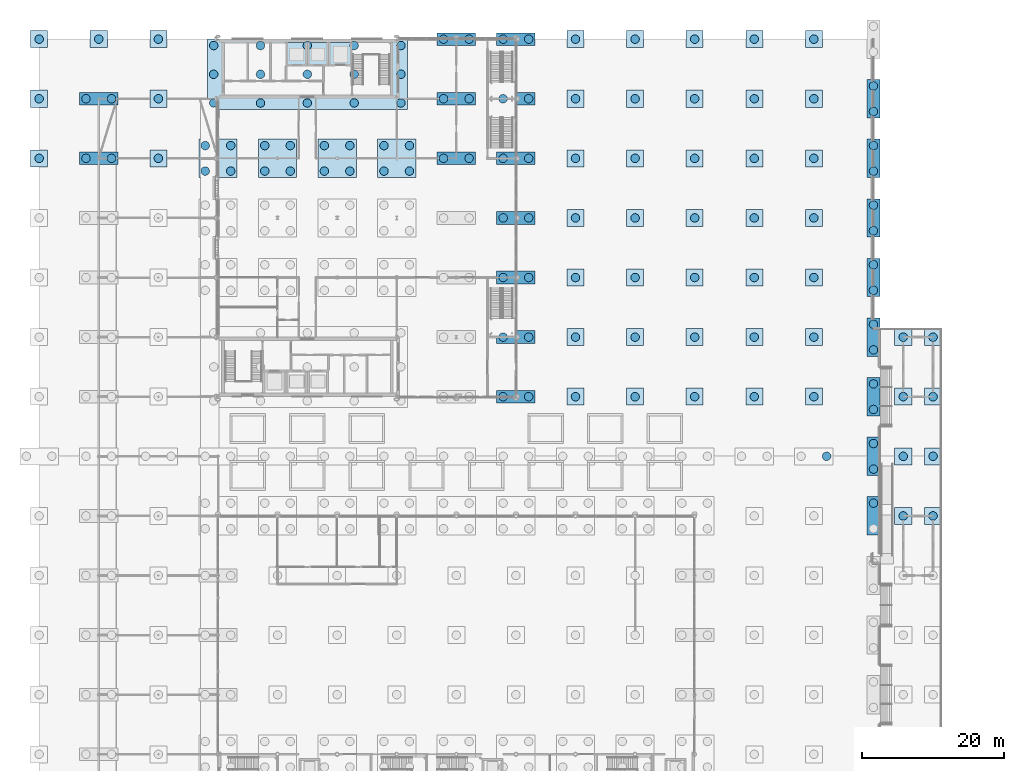
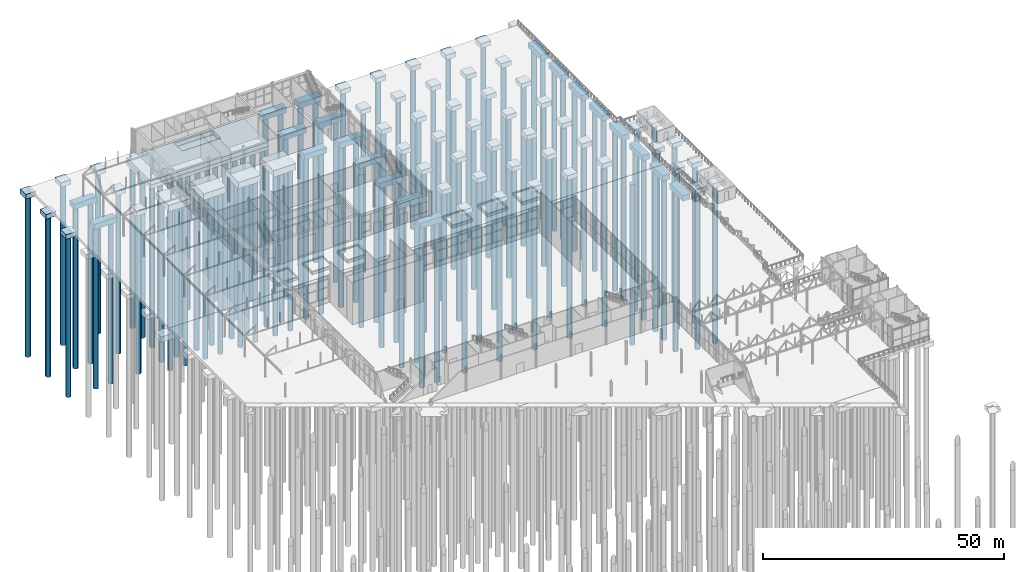
# One storey, part 5 of 212: 121 piles, 76 footings.
"""IFC4 building model written with IfcOpenShell, lengths in metres."""

from ifc_helpers import new_model, si_unit, direction, frame, origin, origin_2d, place, context, subcontext, project, spatial, polyline, rectangle, circle, outline, extrude, material, layer, layer_set, material_profile, profile_set, type_object, element, save


model = new_model("IFC4")

# Units and contexts
model_context = context("Model", 3, precision=1e-05, world=origin(), true_north=direction((0.0, 1.0)))
body_context = subcontext(model_context, "Body", "Model", "MODEL_VIEW")
ifc_project = project(units=[si_unit("LENGTHUNIT", "METRE"), si_unit("AREAUNIT", "SQUARE_METRE"), si_unit("VOLUMEUNIT", "CUBIC_METRE"), si_unit("PLANEANGLEUNIT", "RADIAN"), si_unit("MASSUNIT", "GRAM", prefix="KILO")], contexts=[model_context])

# Site, building, storey
site_placement = place(None, origin())
site = spatial("IfcSite", under=ifc_project, at=site_placement, CompositionType="ELEMENT")
building_placement = place(site_placement, origin())
building = spatial("IfcBuilding", under=site, at=building_placement, Name="Catenary Quay Ferry Terminal", CompositionType="ELEMENT")
storey_placement = place(building_placement, origin())
storey = spatial("IfcBuildingStorey", under=building, at=storey_placement, Name="L00", CompositionType="ELEMENT", Elevation=0.0)

# Piles
ifc_material_1 = material(Name="Concrete C35/45", Category="concrete")
ifc_material_profile = material_profile(ifc_material_1, circle(Radius=0.60009765625, at=origin_2d()), Name="D1200")
ifc_profile_set = profile_set([ifc_material_profile], Name="Concrete C35/45")
pile_type = type_object("IfcPileType", Name="Bored pile D1200", PredefinedType="BORED", material=ifc_profile_set)
for number, where, z_axis, x_axis, name in (
    (1, (117.60009765625, 144.60009765625, -2.10009765625), (0.0, 0.0, -1.0), (1.0, 0.0, 0.0), "Pile PC2-O18/2"),
    (2, (111.0, 151.199951171875, -2.10009765625), (0.0, 0.0, -1.0), (1.0, 0.0, 0.0), "Pile PC2J-N19/2"),
    (3, (117.60009765625, 149.39990234375, -2.10009765625), (0.0, 0.0, -1.0), (1.0, 0.0, 0.0), "Pile PC2-O19/1"),
    (4, (117.60009765625, 153.0, -2.10009765625), (0.0, 0.0, -1.0), (1.0, 0.0, 0.0), "Pile PC2-O19/2"),
    (5, (65.39990234375, 159.60009765625, -2.10009765625), (0.0, 0.0, -1.0), (1.0, 0.0, 0.0), "Pile PC2-I20/1"),
    (6, (69.0, 159.60009765625, -2.10009765625), (0.0, 0.0, -1.0), (1.0, 0.0, 0.0), "Pile PC2-I20/2"),
    (7, (75.60009765625, 159.60009765625, -1.89990234375), (0.0, 0.0, -1.0), (1.0, 0.0, 0.0), "Pile PC1-J20/1"),
    (8, (84.0, 159.60009765625, -1.89990234375), (0.0, 0.0, -1.0), (1.0, 0.0, 0.0), "Pile PC1-K20/1"),
    (9, (92.39990234375, 159.60009765625, -1.89990234375), (0.0, 0.0, -1.0), (1.0, 0.0, 0.0), "Pile PC1-L20/1"),
    (10, (100.800048828125, 159.60009765625, -1.89990234375), (0.0, 0.0, -1.0), (1.0, 0.0, 0.0), "Pile PC1-M20/1"),
    (11, (109.199951171875, 159.60009765625, -1.89990234375), (0.0, 0.0, -1.0), (1.0, 0.0, 0.0), "Pile PC1-N20/1"),
    (12, (117.60009765625, 157.800048828125, -2.10009765625), (0.0, 0.0, -1.0), (1.0, 0.0, 0.0), "Pile PC2-O20/1"),
    (13, (117.60009765625, 161.39990234375, -2.10009765625), (0.0, 0.0, -1.0), (1.0, 0.0, 0.0), "Pile PC2-O20/2"),
    (14, (65.39990234375, 168.0, -2.10009765625), (0.0, 0.0, -1.0), (1.0, 0.0, 0.0), "Pile PC2-I21/1"),
    (15, (69.0, 168.0, -2.10009765625), (0.0, 0.0, -1.0), (1.0, 0.0, 0.0), "Pile PC2-I21/2"),
    (16, (75.60009765625, 168.0, -1.89990234375), (0.0, 0.0, -1.0), (1.0, 0.0, 0.0), "Pile PC1-J21/1"),
    (17, (84.0, 168.0, -1.89990234375), (0.0, 0.0, -1.0), (1.0, 0.0, 0.0), "Pile PC1-K21/1"),
    (18, (92.39990234375, 168.0, -1.89990234375), (0.0, 0.0, -1.0), (1.0, 0.0, 0.0), "Pile PC1-L21/1"),
    (19, (100.800048828125, 168.0, -1.89990234375), (0.0, 0.0, -1.0), (1.0, 0.0, 0.0), "Pile PC1-M21/1"),
    (20, (109.199951171875, 168.0, -1.89990234375), (0.0, 0.0, -1.0), (1.0, 0.0, 0.0), "Pile PC1-N21/1"),
    (21, (117.60009765625, 166.199951171875, -2.10009765625), (0.0, 0.0, -1.0), (1.0, 0.0, 0.0), "Pile PC2-O21/1"),
    (22, (117.60009765625, 169.800048828125, -2.10009765625), (0.0, 0.0, -1.0), (1.0, 0.0, 0.0), "Pile PC2-O21/2"),
    (23, (65.39990234375, 176.39990234375, -2.10009765625), (0.0, 0.0, -1.0), (1.0, 0.0, 0.0), "Pile PC2-I22/1"),
    (24, (69.0, 176.39990234375, -2.10009765625), (0.0, 0.0, -1.0), (1.0, 0.0, 0.0), "Pile PC2-I22/2"),
    (25, (75.60009765625, 176.39990234375, -1.89990234375), (0.0, 0.0, -1.0), (1.0, 0.0, 0.0), "Pile PC1-J22/1"),
    (26, (84.0, 176.39990234375, -1.89990234375), (0.0, 0.0, -1.0), (1.0, 0.0, 0.0), "Pile PC1-K22/1"),
    (27, (92.39990234375, 176.39990234375, -1.89990234375), (0.0, 0.0, -1.0), (1.0, 0.0, 0.0), "Pile PC1-L22/1"),
    (28, (100.800048828125, 176.39990234375, -1.89990234375), (0.0, 0.0, -1.0), (1.0, 0.0, 0.0), "Pile PC1-M22/1"),
    (29, (109.199951171875, 176.39990234375, -1.89990234375), (0.0, 0.0, -1.0), (1.0, 0.0, 0.0), "Pile PC1-N22/1"),
    (30, (117.60009765625, 174.60009765625, -2.10009765625), (0.0, 0.0, -1.0), (1.0, 0.0, 0.0), "Pile PC2-O22/1"),
    (31, (117.60009765625, 178.199951171875, -2.10009765625), (0.0, 0.0, -1.0), (1.0, 0.0, 0.0), "Pile PC2-O22/2"),
    (32, (65.39990234375, 184.800048828125, -2.10009765625), (0.0, 0.0, -1.0), (1.0, 0.0, 0.0), "Pile PC2-I23/1"),
    (33, (69.0, 184.800048828125, -2.10009765625), (0.0, 0.0, -1.0), (1.0, 0.0, 0.0), "Pile PC2-I23/2"),
    (34, (75.60009765625, 184.800048828125, -1.89990234375), (0.0, 0.0, -1.0), (1.0, 0.0, 0.0), "Pile PC1-J23/1"),
    (35, (84.0, 184.800048828125, -1.89990234375), (0.0, 0.0, -1.0), (1.0, 0.0, 0.0), "Pile PC1-K23/1"),
    (36, (92.39990234375, 184.800048828125, -1.89990234375), (0.0, 0.0, -1.0), (1.0, 0.0, 0.0), "Pile PC1-L23/1"),
    (37, (100.800048828125, 184.800048828125, -1.89990234375), (0.0, 0.0, -1.0), (1.0, 0.0, 0.0), "Pile PC1-M23/1"),
    (38, (109.199951171875, 184.800048828125, -1.89990234375), (0.0, 0.0, -1.0), (1.0, 0.0, 0.0), "Pile PC1-N23/1"),
    (39, (117.60009765625, 183.0, -2.10009765625), (0.0, 0.0, -1.0), (1.0, 0.0, 0.0), "Pile PC2-O23/1"),
    (40, (117.60009765625, 186.60009765625, -2.10009765625), (0.0, 0.0, -1.0), (1.0, 0.0, 0.0), "Pile PC2-O23/2"),
    (41, (0.0, 193.199951171875, -1.89990234375), (0.0, 0.0, -1.0), (1.0, 0.0, 0.0), "Pile PC1-A24/1"),
    (42, (6.60009765625, 193.199951171875, -2.10009765625), (0.0, 0.0, -1.0), (1.0, 0.0, 0.0), "Pile PC2-B24/1"),
    (43, (10.199951171875, 193.199951171875, -2.10009765625), (0.0, 0.0, -1.0), (1.0, 0.0, 0.0), "Pile PC2-B24/2"),
    (44, (16.800048828125, 193.199951171875, -1.89990234375), (0.0, 0.0, -1.0), (1.0, 0.0, 0.0), "Pile PC1-C24/1"),
    (45, (23.39990234375, 191.39990234375, -2.300048828125), (0.0, 0.0, -1.0), (1.0, 0.0, 0.0), "Pile PC4-D24/1"),
    (46, (27.0, 191.39990234375, -2.300048828125), (0.0, 0.0, -1.0), (1.0, 0.0, 0.0), "Pile PC4-D24/2"),
    (47, (23.39990234375, 195.0, -2.300048828125), (0.0, 0.0, -1.0), (1.0, 0.0, 0.0), "Pile PC4-D24/3"),
    (48, (27.0, 195.0, -2.300048828125), (0.0, 0.0, -1.0), (1.0, 0.0, 0.0), "Pile PC4-D24/4"),
    (49, (31.800048828125, 191.39990234375, -2.300048828125), (0.0, 0.0, -1.0), (1.0, 0.0, 0.0), "Pile PC4-E24/1"),
    (50, (35.39990234375, 191.39990234375, -2.300048828125), (0.0, 0.0, -1.0), (1.0, 0.0, 0.0), "Pile PC4-E24/2"),
    (51, (31.800048828125, 195.0, -2.300048828125), (0.0, 0.0, -1.0), (1.0, 0.0, 0.0), "Pile PC4-E24/3"),
    (52, (35.39990234375, 195.0, -2.300048828125), (0.0, 0.0, -1.0), (1.0, 0.0, 0.0), "Pile PC4-E24/4"),
    (53, (40.199951171875, 191.39990234375, -2.300048828125), (0.0, 0.0, -1.0), (1.0, 0.0, 0.0), "Pile PC4-F24/1"),
    (54, (43.800048828125, 191.39990234375, -2.300048828125), (0.0, 0.0, -1.0), (1.0, 0.0, 0.0), "Pile PC4-F24/2"),
    (55, (40.199951171875, 195.0, -2.300048828125), (0.0, 0.0, -1.0), (1.0, 0.0, 0.0), "Pile PC4-F24/3"),
    (56, (43.800048828125, 195.0, -2.300048828125), (0.0, 0.0, -1.0), (1.0, 0.0, 0.0), "Pile PC4-F24/4"),
    (57, (48.60009765625, 191.39990234375, -2.300048828125), (0.0, 0.0, -1.0), (1.0, 0.0, 0.0), "Pile PC4-G24/1"),
    (58, (52.199951171875, 191.39990234375, -2.300048828125), (0.0, 0.0, -1.0), (1.0, 0.0, 0.0), "Pile PC4-G24/2"),
    (59, (48.60009765625, 195.0, -2.300048828125), (0.0, 0.0, -1.0), (1.0, 0.0, 0.0), "Pile PC4-G24/3"),
    (60, (52.199951171875, 195.0, -2.300048828125), (0.0, 0.0, -1.0), (1.0, 0.0, 0.0), "Pile PC4-G24/4"),
    (61, (57.0, 193.199951171875, -2.10009765625), (0.0, 0.0, -1.0), (1.0, 0.0, 0.0), "Pile PC2-H24/1"),
    (62, (60.60009765625, 193.199951171875, -2.10009765625), (0.0, 0.0, -1.0), (1.0, 0.0, 0.0), "Pile PC2-H24/2"),
    (63, (65.39990234375, 193.199951171875, -2.10009765625), (0.0, 0.0, -1.0), (1.0, 0.0, 0.0), "Pile PC2-I24/1"),
    (64, (69.0, 193.199951171875, -2.10009765625), (0.0, 0.0, -1.0), (1.0, 0.0, 0.0), "Pile PC2-I24/2"),
    (65, (75.60009765625, 193.199951171875, -1.89990234375), (0.0, 0.0, -1.0), (1.0, 0.0, 0.0), "Pile PC1-J24/1"),
    (66, (84.0, 193.199951171875, -1.89990234375), (0.0, 0.0, -1.0), (1.0, 0.0, 0.0), "Pile PC1-K24/1"),
    (67, (92.39990234375, 193.199951171875, -1.89990234375), (0.0, 0.0, -1.0), (1.0, 0.0, 0.0), "Pile PC1-L24/1"),
    (68, (100.800048828125, 193.199951171875, -1.89990234375), (0.0, 0.0, -1.0), (1.0, 0.0, 0.0), "Pile PC1-M24/1"),
    (69, (109.199951171875, 193.199951171875, -1.89990234375), (0.0, 0.0, -1.0), (1.0, 0.0, 0.0), "Pile PC1-N24/1"),
    (70, (117.60009765625, 191.39990234375, -2.10009765625), (0.0, 0.0, -1.0), (1.0, 0.0, 0.0), "Pile PC2-O24/1"),
    (71, (117.60009765625, 195.0, -2.10009765625), (0.0, 0.0, -1.0), (1.0, 0.0, 0.0), "Pile PC2-O24/2"),
    (72, (0.0, 201.60009765625, -1.89990234375), (0.0, 0.0, -1.0), (1.0, 0.0, 0.0), "Pile PC1-A25/1"),
    (73, (6.60009765625, 201.60009765625, -2.10009765625), (0.0, 0.0, -1.0), (1.0, 0.0, 0.0), "Pile PC2-B25/1"),
    (74, (10.199951171875, 201.60009765625, -2.10009765625), (0.0, 0.0, -1.0), (1.0, 0.0, 0.0), "Pile PC2-B25/2"),
    (75, (16.800048828125, 201.60009765625, -1.89990234375), (0.0, 0.0, -1.0), (1.0, 0.0, 0.0), "Pile PC1-C25/1"),
    (76, (57.0, 201.60009765625, -2.10009765625), (0.0, 0.0, -1.0), (1.0, 0.0, 0.0), "Pile PC2-H25/1"),
    (77, (60.60009765625, 201.60009765625, -2.10009765625), (0.0, 0.0, -1.0), (1.0, 0.0, 0.0), "Pile PC2-H25/2"),
    (78, (65.39990234375, 201.60009765625, -2.10009765625), (0.0, 0.0, -1.0), (1.0, 0.0, 0.0), "Pile PC2-I25/1"),
    (79, (69.0, 201.60009765625, -2.10009765625), (0.0, 0.0, -1.0), (1.0, 0.0, 0.0), "Pile PC2-I25/2"),
    (80, (75.60009765625, 201.60009765625, -1.89990234375), (0.0, 0.0, -1.0), (1.0, 0.0, 0.0), "Pile PC1-J25/1"),
    (81, (84.0, 201.60009765625, -1.89990234375), (0.0, 0.0, -1.0), (1.0, 0.0, 0.0), "Pile PC1-K25/1"),
    (82, (92.39990234375, 201.60009765625, -1.89990234375), (0.0, 0.0, -1.0), (1.0, 0.0, 0.0), "Pile PC1-L25/1"),
    (83, (100.800048828125, 201.60009765625, -1.89990234375), (0.0, 0.0, -1.0), (1.0, 0.0, 0.0), "Pile PC1-M25/1"),
    (84, (109.199951171875, 201.60009765625, -1.89990234375), (0.0, 0.0, -1.0), (1.0, 0.0, 0.0), "Pile PC1-N25/1"),
    (85, (117.60009765625, 199.800048828125, -2.10009765625), (0.0, 0.0, -1.0), (1.0, 0.0, 0.0), "Pile PC2-O25/1"),
    (86, (117.60009765625, 203.39990234375, -2.10009765625), (0.0, 0.0, -1.0), (1.0, 0.0, 0.0), "Pile PC2-O25/2"),
    (87, (0.0, 210.0, -1.89990234375), (0.0, 0.0, -1.0), (1.0, 0.0, 0.0), "Pile PC1-A26/1"),
    (88, (8.39990234375, 210.0, -1.89990234375), (0.0, 0.0, -1.0), (1.0, 0.0, 0.0), "Pile PC1-B26/1"),
    (89, (16.800048828125, 210.0, -1.89990234375), (0.0, 0.0, -1.0), (1.0, 0.0, 0.0), "Pile PC1-C26/1"),
    (90, (57.0, 210.0, -2.10009765625), (0.0, 0.0, -1.0), (1.0, 0.0, 0.0), "Pile PC2-H26/1"),
    (91, (60.60009765625, 210.0, -2.10009765625), (0.0, 0.0, -1.0), (1.0, 0.0, 0.0), "Pile PC2-H26/2"),
    (92, (65.39990234375, 210.0, -2.10009765625), (0.0, 0.0, -1.0), (1.0, 0.0, 0.0), "Pile PC2-I26/1"),
    (93, (69.0, 210.0, -2.10009765625), (0.0, 0.0, -1.0), (1.0, 0.0, 0.0), "Pile PC2-I26/2"),
    (94, (75.60009765625, 210.0, -1.89990234375), (0.0, 0.0, -1.0), (1.0, 0.0, 0.0), "Pile PC1-J26/1"),
    (95, (84.0, 210.0, -1.89990234375), (0.0, 0.0, -1.0), (1.0, 0.0, 0.0), "Pile PC1-K26/1"),
    (96, (92.39990234375, 210.0, -1.89990234375), (0.0, 0.0, -1.0), (1.0, 0.0, 0.0), "Pile PC1-L26/1"),
    (97, (100.800048828125, 210.0, -1.89990234375), (0.0, 0.0, -1.0), (1.0, 0.0, 0.0), "Pile PC1-M26/1"),
    (98, (109.199951171875, 210.0, -1.89990234375), (0.0, 0.0, -1.0), (1.0, 0.0, 0.0), "Pile PC1-N26/1"),
):
    element("IfcPile", number, at=place(storey_placement, frame(where, z_axis=z_axis, x_axis=x_axis)), inside=storey, type_object=pile_type, Name=name, PredefinedType="BORED", context=body_context, shape_type="SweptSolid", body=[
        extrude(circle(Radius=0.60009765625, at=origin_2d()), origin(), (0.0, 0.0, 1.0), 40.800048828125),
    ])
for number, where, z_axis, x_axis, name in (
    (99, (121.800048828125, 142.800048828125, -2.60009765625), (0.0, 0.0, -1.0), (1.0, 0.0, 0.0), "Pile PC1-RS18/1"),
    (100, (121.800048828125, 151.199951171875, -2.60009765625), (0.0, 0.0, -1.0), (1.0, 0.0, 0.0), "Pile PC1-RS19/1"),
    (101, (121.800048828125, 159.60009765625, -2.60009765625), (0.0, 0.0, -1.0), (1.0, 0.0, 0.0), "Pile PC1-RS20/1"),
    (102, (121.800048828125, 168.0, -2.60009765625), (0.0, 0.0, -1.0), (1.0, 0.0, 0.0), "Pile PC1-RS21/1"),
    (103, (126.0, 142.800048828125, -2.60009765625), (0.0, 0.0, -1.0), (1.0, 0.0, 0.0), "Pile PC1-RT18/1"),
    (104, (126.0, 151.199951171875, -2.60009765625), (0.0, 0.0, -1.0), (1.0, 0.0, 0.0), "Pile PC1-RT19/1"),
    (105, (126.0, 159.60009765625, -2.60009765625), (0.0, 0.0, -1.0), (1.0, 0.0, 0.0), "Pile PC1-RT20/1"),
    (106, (126.0, 168.0, -2.60009765625), (0.0, 0.0, -1.0), (1.0, 0.0, 0.0), "Pile PC1-RT21/1"),
):
    element("IfcPile", number, at=place(storey_placement, frame(where, z_axis=z_axis, x_axis=x_axis)), inside=storey, type_object=pile_type, Name=name, PredefinedType="BORED", context=body_context, shape_type="SweptSolid", body=[
        extrude(circle(Radius=0.60009765625, at=origin_2d()), origin(), (0.0, 0.0, 1.0), 40.10009765625),
    ])
for number, where, z_axis, x_axis, name in (
    (107, (24.60009765625, 201.0, -2.699951171875), (0.0, 0.0, -1.0), (1.0, 0.0, 0.0), "Pile CF2/1"),
    (108, (31.199951171875, 201.0, -2.699951171875), (0.0, 0.0, -1.0), (1.0, 0.0, 0.0), "Pile CF2/2"),
    (109, (37.800048828125, 201.0, -2.699951171875), (0.0, 0.0, -1.0), (1.0, 0.0, 0.0), "Pile CF2/3"),
    (110, (44.39990234375, 201.0, -2.699951171875), (0.0, 0.0, -1.0), (1.0, 0.0, 0.0), "Pile CF2/4"),
    (111, (51.0, 201.0, -2.699951171875), (0.0, 0.0, -1.0), (1.0, 0.0, 0.0), "Pile CF2/5"),
    (112, (24.60009765625, 205.050048828125, -2.699951171875), (0.0, 0.0, -1.0), (1.0, 0.0, 0.0), "Pile CF2/6"),
    (113, (31.199951171875, 205.050048828125, -2.699951171875), (0.0, 0.0, -1.0), (1.0, 0.0, 0.0), "Pile CF2/7"),
    (114, (37.800048828125, 205.050048828125, -2.699951171875), (0.0, 0.0, -1.0), (1.0, 0.0, 0.0), "Pile CF2/8"),
    (115, (44.39990234375, 205.050048828125, -2.699951171875), (0.0, 0.0, -1.0), (1.0, 0.0, 0.0), "Pile CF2/9"),
    (116, (51.0, 205.050048828125, -2.699951171875), (0.0, 0.0, -1.0), (1.0, 0.0, 0.0), "Pile CF2/10"),
    (117, (24.60009765625, 209.10009765625, -2.699951171875), (0.0, 0.0, -1.0), (1.0, 0.0, 0.0), "Pile CF2/11"),
    (118, (31.199951171875, 209.10009765625, -2.699951171875), (0.0, 0.0, -1.0), (1.0, 0.0, 0.0), "Pile CF2/12"),
    (119, (37.800048828125, 209.10009765625, -2.699951171875), (0.0, 0.0, -1.0), (1.0, 0.0, 0.0), "Pile CF2/13"),
    (120, (44.39990234375, 209.10009765625, -2.699951171875), (0.0, 0.0, -1.0), (1.0, 0.0, 0.0), "Pile CF2/14"),
    (121, (51.0, 209.10009765625, -2.699951171875), (0.0, 0.0, -1.0), (1.0, 0.0, 0.0), "Pile CF2/15"),
):
    element("IfcPile", number, at=place(storey_placement, frame(where, z_axis=z_axis, x_axis=x_axis)), inside=storey, type_object=pile_type, Name=name, PredefinedType="BORED", context=body_context, shape_type="SweptSolid", body=[
        extrude(circle(Radius=0.60009765625, at=origin_2d()), origin(), (0.0, 0.0, 1.0), 40.800048828125),
    ])

# Footings
ifc_material_2 = material(Name="Concrete C50/60", Category="concrete")
ifc_layer_1 = layer(ifc_material_2, 0.89990234375)
ifc_layer_set_1 = layer_set([ifc_layer_1], Name="Core footing lower layer")
footing_type_1 = type_object("IfcFootingType", Name="Core footing lower layer", PredefinedType="PILE_CAP", material=ifc_layer_set_1)
footing_1_placement = place(storey_placement, frame((0.0, 0.0, -2.699951171875)))
element("IfcFooting", 122, at=footing_1_placement, inside=storey, type_object=footing_type_1, Name="Core footing CF2 lower layer", PredefinedType="PILE_CAP", context=body_context, shape_type="SweptSolid", body=[
    extrude(outline(polyline([(23.699951171875, 200.10009765625), (51.89990234375, 200.10009765625), (51.89990234375, 210.0), (23.699951171875, 210.0), (23.699951171875, 200.10009765625)])), origin(), (0.0, 0.0, 1.0), 0.89990234375),
])
ifc_material_3 = material(Name="Concrete C50/60", Category="concrete")
ifc_layer_2 = layer(ifc_material_3, 1.10009765625)
ifc_layer_set_2 = layer_set([ifc_layer_2], Name="Core footing upper layer")
footing_type_2 = type_object("IfcFootingType", Name="Core footing upper layer", PredefinedType="PILE_CAP", material=ifc_layer_set_2)
footing_2_placement = place(storey_placement, frame((0.0, 0.0, -1.800048828125)))
element("IfcFooting", 123, at=footing_2_placement, inside=storey, type_object=footing_type_2, Name="Core footing CF2 upper layer", PredefinedType="PILE_CAP", context=body_context, shape_type="SweptSolid", body=[
    extrude(outline(polyline([(23.699951171875, 200.10009765625), (51.89990234375, 200.10009765625), (51.89990234375, 210.0), (23.699951171875, 210.0), (23.699951171875, 200.10009765625)]), holes=[polyline([(34.800048828125, 206.199951171875), (34.800048828125, 209.5), (44.10009765625, 209.5), (44.10009765625, 206.199951171875), (34.800048828125, 206.199951171875)])]), origin(), (0.0, 0.0, 1.0), 1.10009765625),
])
ifc_material_4 = material(Name="Concrete C35/45", Category="concrete")
footing_type_3 = type_object("IfcFootingType", Name="Pile cap PC1", PredefinedType="PILE_CAP", material=ifc_material_4)
for number, where, z_axis, x_axis, name in (
    (124, (75.60009765625, 159.60009765625, -1.89990234375), (0.0, 0.0, 1.0), (1.0, 0.0, 0.0), "Pile cap PC1-J20"),
    (125, (84.0, 159.60009765625, -1.89990234375), (0.0, 0.0, 1.0), (1.0, 0.0, 0.0), "Pile cap PC1-K20"),
    (126, (92.39990234375, 159.60009765625, -1.89990234375), (0.0, 0.0, 1.0), (1.0, 0.0, 0.0), "Pile cap PC1-L20"),
    (127, (100.800048828125, 159.60009765625, -1.89990234375), (0.0, 0.0, 1.0), (1.0, 0.0, 0.0), "Pile cap PC1-M20"),
    (128, (109.199951171875, 159.60009765625, -1.89990234375), (0.0, 0.0, 1.0), (1.0, 0.0, 0.0), "Pile cap PC1-N20"),
    (129, (75.60009765625, 168.0, -1.89990234375), (0.0, 0.0, 1.0), (1.0, 0.0, 0.0), "Pile cap PC1-J21"),
    (130, (84.0, 168.0, -1.89990234375), (0.0, 0.0, 1.0), (1.0, 0.0, 0.0), "Pile cap PC1-K21"),
    (131, (92.39990234375, 168.0, -1.89990234375), (0.0, 0.0, 1.0), (1.0, 0.0, 0.0), "Pile cap PC1-L21"),
    (132, (100.800048828125, 168.0, -1.89990234375), (0.0, 0.0, 1.0), (1.0, 0.0, 0.0), "Pile cap PC1-M21"),
    (133, (109.199951171875, 168.0, -1.89990234375), (0.0, 0.0, 1.0), (1.0, 0.0, 0.0), "Pile cap PC1-N21"),
    (134, (75.60009765625, 176.39990234375, -1.89990234375), (0.0, 0.0, 1.0), (1.0, 0.0, 0.0), "Pile cap PC1-J22"),
    (135, (84.0, 176.39990234375, -1.89990234375), (0.0, 0.0, 1.0), (1.0, 0.0, 0.0), "Pile cap PC1-K22"),
    (136, (92.39990234375, 176.39990234375, -1.89990234375), (0.0, 0.0, 1.0), (1.0, 0.0, 0.0), "Pile cap PC1-L22"),
    (137, (100.800048828125, 176.39990234375, -1.89990234375), (0.0, 0.0, 1.0), (1.0, 0.0, 0.0), "Pile cap PC1-M22"),
    (138, (109.199951171875, 176.39990234375, -1.89990234375), (0.0, 0.0, 1.0), (1.0, 0.0, 0.0), "Pile cap PC1-N22"),
    (139, (75.60009765625, 184.800048828125, -1.89990234375), (0.0, 0.0, 1.0), (1.0, 0.0, 0.0), "Pile cap PC1-J23"),
    (140, (84.0, 184.800048828125, -1.89990234375), (0.0, 0.0, 1.0), (1.0, 0.0, 0.0), "Pile cap PC1-K23"),
    (141, (92.39990234375, 184.800048828125, -1.89990234375), (0.0, 0.0, 1.0), (1.0, 0.0, 0.0), "Pile cap PC1-L23"),
    (142, (100.800048828125, 184.800048828125, -1.89990234375), (0.0, 0.0, 1.0), (1.0, 0.0, 0.0), "Pile cap PC1-M23"),
    (143, (109.199951171875, 184.800048828125, -1.89990234375), (0.0, 0.0, 1.0), (1.0, 0.0, 0.0), "Pile cap PC1-N23"),
    (144, (0.0, 193.199951171875, -1.89990234375), (0.0, 0.0, 1.0), (1.0, 0.0, 0.0), "Pile cap PC1-A24"),
    (145, (16.800048828125, 193.199951171875, -1.89990234375), (0.0, 0.0, 1.0), (1.0, 0.0, 0.0), "Pile cap PC1-C24"),
    (146, (75.60009765625, 193.199951171875, -1.89990234375), (0.0, 0.0, 1.0), (1.0, 0.0, 0.0), "Pile cap PC1-J24"),
    (147, (84.0, 193.199951171875, -1.89990234375), (0.0, 0.0, 1.0), (1.0, 0.0, 0.0), "Pile cap PC1-K24"),
    (148, (92.39990234375, 193.199951171875, -1.89990234375), (0.0, 0.0, 1.0), (1.0, 0.0, 0.0), "Pile cap PC1-L24"),
    (149, (100.800048828125, 193.199951171875, -1.89990234375), (0.0, 0.0, 1.0), (1.0, 0.0, 0.0), "Pile cap PC1-M24"),
    (150, (109.199951171875, 193.199951171875, -1.89990234375), (0.0, 0.0, 1.0), (1.0, 0.0, 0.0), "Pile cap PC1-N24"),
    (151, (0.0, 201.60009765625, -1.89990234375), (0.0, 0.0, 1.0), (1.0, 0.0, 0.0), "Pile cap PC1-A25"),
    (152, (16.800048828125, 201.60009765625, -1.89990234375), (0.0, 0.0, 1.0), (1.0, 0.0, 0.0), "Pile cap PC1-C25"),
    (153, (75.60009765625, 201.60009765625, -1.89990234375), (0.0, 0.0, 1.0), (1.0, 0.0, 0.0), "Pile cap PC1-J25"),
    (154, (84.0, 201.60009765625, -1.89990234375), (0.0, 0.0, 1.0), (1.0, 0.0, 0.0), "Pile cap PC1-K25"),
    (155, (92.39990234375, 201.60009765625, -1.89990234375), (0.0, 0.0, 1.0), (1.0, 0.0, 0.0), "Pile cap PC1-L25"),
    (156, (100.800048828125, 201.60009765625, -1.89990234375), (0.0, 0.0, 1.0), (1.0, 0.0, 0.0), "Pile cap PC1-M25"),
    (157, (109.199951171875, 201.60009765625, -1.89990234375), (0.0, 0.0, 1.0), (1.0, 0.0, 0.0), "Pile cap PC1-N25"),
    (158, (0.0, 210.0, -1.89990234375), (0.0, 0.0, 1.0), (1.0, 0.0, 0.0), "Pile cap PC1-A26"),
    (159, (8.39990234375, 210.0, -1.89990234375), (0.0, 0.0, 1.0), (1.0, 0.0, 0.0), "Pile cap PC1-B26"),
    (160, (16.800048828125, 210.0, -1.89990234375), (0.0, 0.0, 1.0), (1.0, 0.0, 0.0), "Pile cap PC1-C26"),
    (161, (75.60009765625, 210.0, -1.89990234375), (0.0, 0.0, 1.0), (1.0, 0.0, 0.0), "Pile cap PC1-J26"),
    (162, (84.0, 210.0, -1.89990234375), (0.0, 0.0, 1.0), (1.0, 0.0, 0.0), "Pile cap PC1-K26"),
    (163, (92.39990234375, 210.0, -1.89990234375), (0.0, 0.0, 1.0), (1.0, 0.0, 0.0), "Pile cap PC1-L26"),
    (164, (100.800048828125, 210.0, -1.89990234375), (0.0, 0.0, 1.0), (1.0, 0.0, 0.0), "Pile cap PC1-M26"),
    (165, (109.199951171875, 210.0, -1.89990234375), (0.0, 0.0, 1.0), (1.0, 0.0, 0.0), "Pile cap PC1-N26"),
    (166, (121.800048828125, 142.800048828125, -2.60009765625), (0.0, 0.0, 1.0), (1.0, 0.0, 0.0), "Pile cap PC1-RS18"),
    (167, (121.800048828125, 151.199951171875, -2.60009765625), (0.0, 0.0, 1.0), (1.0, 0.0, 0.0), "Pile cap PC1-RS19"),
    (168, (121.800048828125, 159.60009765625, -2.60009765625), (0.0, 0.0, 1.0), (1.0, 0.0, 0.0), "Pile cap PC1-RS20"),
    (169, (121.800048828125, 168.0, -2.60009765625), (0.0, 0.0, 1.0), (1.0, 0.0, 0.0), "Pile cap PC1-RS21"),
    (170, (126.0, 142.800048828125, -2.60009765625), (0.0, 0.0, 1.0), (1.0, 0.0, 0.0), "Pile cap PC1-RT18"),
    (171, (126.0, 151.199951171875, -2.60009765625), (0.0, 0.0, 1.0), (1.0, 0.0, 0.0), "Pile cap PC1-RT19"),
    (172, (126.0, 159.60009765625, -2.60009765625), (0.0, 0.0, 1.0), (1.0, 0.0, 0.0), "Pile cap PC1-RT20"),
    (173, (126.0, 168.0, -2.60009765625), (0.0, 0.0, 1.0), (1.0, 0.0, 0.0), "Pile cap PC1-RT21"),
):
    element("IfcFooting", number, at=place(storey_placement, frame(where, z_axis=z_axis, x_axis=x_axis)), inside=storey, type_object=footing_type_3, Name=name, PredefinedType="PILE_CAP", context=body_context, shape_type="SweptSolid", body=[
        extrude(rectangle(XDim=2.39990234375, YDim=2.39990234375, at=origin_2d()), origin(), (0.0, 0.0, 1.0), 1.199951171875),
    ])
ifc_material_5 = material(Name="Concrete C35/45", Category="concrete")
footing_type_4 = type_object("IfcFootingType", Name="Pile cap PC2", PredefinedType="PILE_CAP", material=ifc_material_5)
for number, where, z_axis, x_axis, name in (
    (174, (117.60009765625, 142.800048828125, -2.099853515625), (0.0, 0.0, 1.0), (1.0, 0.0, 0.0), "Pile cap PC2-O18"),
    (175, (117.60009765625, 151.199951171875, -2.099853515625), (0.0, 0.0, 1.0), (1.0, 0.0, 0.0), "Pile cap PC2-O19"),
):
    element("IfcFooting", number, at=place(storey_placement, frame(where, z_axis=z_axis, x_axis=x_axis)), inside=storey, type_object=footing_type_4, Name=name, PredefinedType="PILE_CAP", context=body_context, shape_type="SweptSolid", body=[
        extrude(rectangle(XDim=1.800048828125, YDim=5.39990234375, at=origin_2d()), origin(), (0.0, 0.0, 1.0), 1.39990234375),
    ])
footing_3_placement = place(storey_placement, frame((67.199951171875, 159.60009765625, -2.099853515625), z_axis=(0.0, 0.0, 1.0), x_axis=(1.0, 0.0, 0.0)))
element("IfcFooting", 176, at=footing_3_placement, inside=storey, type_object=footing_type_4, Name="Pile cap PC2-I20", PredefinedType="PILE_CAP", context=body_context, shape_type="SweptSolid", body=[
    extrude(rectangle(XDim=5.39990234375, YDim=1.800048828125, at=origin_2d()), origin(), (0.0, 0.0, 1.0), 1.39990234375),
])
footing_4_placement = place(storey_placement, frame((117.60009765625, 159.60009765625, -2.099853515625), z_axis=(0.0, 0.0, 1.0), x_axis=(1.0, 0.0, 0.0)))
element("IfcFooting", 177, at=footing_4_placement, inside=storey, type_object=footing_type_4, Name="Pile cap PC2-O20", PredefinedType="PILE_CAP", context=body_context, shape_type="SweptSolid", body=[
    extrude(rectangle(XDim=1.800048828125, YDim=5.39990234375, at=origin_2d()), origin(), (0.0, 0.0, 1.0), 1.39990234375),
])
footing_5_placement = place(storey_placement, frame((67.199951171875, 168.0, -2.099853515625), z_axis=(0.0, 0.0, 1.0), x_axis=(1.0, 0.0, 0.0)))
element("IfcFooting", 178, at=footing_5_placement, inside=storey, type_object=footing_type_4, Name="Pile cap PC2-I21", PredefinedType="PILE_CAP", context=body_context, shape_type="SweptSolid", body=[
    extrude(rectangle(XDim=5.39990234375, YDim=1.800048828125, at=origin_2d()), origin(), (0.0, 0.0, 1.0), 1.39990234375),
])
footing_6_placement = place(storey_placement, frame((117.60009765625, 168.0, -2.099853515625), z_axis=(0.0, 0.0, 1.0), x_axis=(1.0, 0.0, 0.0)))
element("IfcFooting", 179, at=footing_6_placement, inside=storey, type_object=footing_type_4, Name="Pile cap PC2-O21", PredefinedType="PILE_CAP", context=body_context, shape_type="SweptSolid", body=[
    extrude(rectangle(XDim=1.800048828125, YDim=5.39990234375, at=origin_2d()), origin(), (0.0, 0.0, 1.0), 1.39990234375),
])
footing_7_placement = place(storey_placement, frame((67.199951171875, 176.39990234375, -2.099853515625), z_axis=(0.0, 0.0, 1.0), x_axis=(1.0, 0.0, 0.0)))
element("IfcFooting", 180, at=footing_7_placement, inside=storey, type_object=footing_type_4, Name="Pile cap PC2-I22", PredefinedType="PILE_CAP", context=body_context, shape_type="SweptSolid", body=[
    extrude(rectangle(XDim=5.39990234375, YDim=1.800048828125, at=origin_2d()), origin(), (0.0, 0.0, 1.0), 1.39990234375),
])
footing_8_placement = place(storey_placement, frame((117.60009765625, 176.39990234375, -2.099853515625), z_axis=(0.0, 0.0, 1.0), x_axis=(1.0, 0.0, 0.0)))
element("IfcFooting", 181, at=footing_8_placement, inside=storey, type_object=footing_type_4, Name="Pile cap PC2-O22", PredefinedType="PILE_CAP", context=body_context, shape_type="SweptSolid", body=[
    extrude(rectangle(XDim=1.800048828125, YDim=5.39990234375, at=origin_2d()), origin(), (0.0, 0.0, 1.0), 1.39990234375),
])
footing_9_placement = place(storey_placement, frame((67.199951171875, 184.800048828125, -2.099853515625), z_axis=(0.0, 0.0, 1.0), x_axis=(1.0, 0.0, 0.0)))
element("IfcFooting", 182, at=footing_9_placement, inside=storey, type_object=footing_type_4, Name="Pile cap PC2-I23", PredefinedType="PILE_CAP", context=body_context, shape_type="SweptSolid", body=[
    extrude(rectangle(XDim=5.39990234375, YDim=1.800048828125, at=origin_2d()), origin(), (0.0, 0.0, 1.0), 1.39990234375),
])
footing_10_placement = place(storey_placement, frame((117.60009765625, 184.800048828125, -2.099853515625), z_axis=(0.0, 0.0, 1.0), x_axis=(1.0, 0.0, 0.0)))
element("IfcFooting", 183, at=footing_10_placement, inside=storey, type_object=footing_type_4, Name="Pile cap PC2-O23", PredefinedType="PILE_CAP", context=body_context, shape_type="SweptSolid", body=[
    extrude(rectangle(XDim=1.800048828125, YDim=5.39990234375, at=origin_2d()), origin(), (0.0, 0.0, 1.0), 1.39990234375),
])
for number, where, z_axis, x_axis, name in (
    (184, (8.39990234375, 193.199951171875, -2.099853515625), (0.0, 0.0, 1.0), (1.0, 0.0, 0.0), "Pile cap PC2-B24"),
    (185, (58.800048828125, 193.199951171875, -2.099853515625), (0.0, 0.0, 1.0), (1.0, 0.0, 0.0), "Pile cap PC2-H24"),
    (186, (67.199951171875, 193.199951171875, -2.099853515625), (0.0, 0.0, 1.0), (1.0, 0.0, 0.0), "Pile cap PC2-I24"),
):
    element("IfcFooting", number, at=place(storey_placement, frame(where, z_axis=z_axis, x_axis=x_axis)), inside=storey, type_object=footing_type_4, Name=name, PredefinedType="PILE_CAP", context=body_context, shape_type="SweptSolid", body=[
        extrude(rectangle(XDim=5.39990234375, YDim=1.800048828125, at=origin_2d()), origin(), (0.0, 0.0, 1.0), 1.39990234375),
    ])
footing_11_placement = place(storey_placement, frame((117.60009765625, 193.199951171875, -2.099853515625), z_axis=(0.0, 0.0, 1.0), x_axis=(1.0, 0.0, 0.0)))
element("IfcFooting", 187, at=footing_11_placement, inside=storey, type_object=footing_type_4, Name="Pile cap PC2-O24", PredefinedType="PILE_CAP", context=body_context, shape_type="SweptSolid", body=[
    extrude(rectangle(XDim=1.800048828125, YDim=5.39990234375, at=origin_2d()), origin(), (0.0, 0.0, 1.0), 1.39990234375),
])
for number, where, z_axis, x_axis, name in (
    (188, (8.39990234375, 201.60009765625, -2.099853515625), (0.0, 0.0, 1.0), (1.0, 0.0, 0.0), "Pile cap PC2-B25"),
    (189, (58.800048828125, 201.60009765625, -2.099853515625), (0.0, 0.0, 1.0), (1.0, 0.0, 0.0), "Pile cap PC2-H25"),
    (190, (67.199951171875, 201.60009765625, -2.099853515625), (0.0, 0.0, 1.0), (1.0, 0.0, 0.0), "Pile cap PC2-I25"),
):
    element("IfcFooting", number, at=place(storey_placement, frame(where, z_axis=z_axis, x_axis=x_axis)), inside=storey, type_object=footing_type_4, Name=name, PredefinedType="PILE_CAP", context=body_context, shape_type="SweptSolid", body=[
        extrude(rectangle(XDim=5.39990234375, YDim=1.800048828125, at=origin_2d()), origin(), (0.0, 0.0, 1.0), 1.39990234375),
    ])
footing_12_placement = place(storey_placement, frame((117.60009765625, 201.60009765625, -2.099853515625), z_axis=(0.0, 0.0, 1.0), x_axis=(1.0, 0.0, 0.0)))
element("IfcFooting", 191, at=footing_12_placement, inside=storey, type_object=footing_type_4, Name="Pile cap PC2-O25", PredefinedType="PILE_CAP", context=body_context, shape_type="SweptSolid", body=[
    extrude(rectangle(XDim=1.800048828125, YDim=5.39990234375, at=origin_2d()), origin(), (0.0, 0.0, 1.0), 1.39990234375),
])
for number, where, z_axis, x_axis, name in (
    (192, (58.800048828125, 210.0, -2.099853515625), (0.0, 0.0, 1.0), (1.0, 0.0, 0.0), "Pile cap PC2-H26"),
    (193, (67.199951171875, 210.0, -2.099853515625), (0.0, 0.0, 1.0), (1.0, 0.0, 0.0), "Pile cap PC2-I26"),
):
    element("IfcFooting", number, at=place(storey_placement, frame(where, z_axis=z_axis, x_axis=x_axis)), inside=storey, type_object=footing_type_4, Name=name, PredefinedType="PILE_CAP", context=body_context, shape_type="SweptSolid", body=[
        extrude(rectangle(XDim=5.39990234375, YDim=1.800048828125, at=origin_2d()), origin(), (0.0, 0.0, 1.0), 1.39990234375),
    ])
ifc_material_6 = material(Name="Concrete C35/45", Category="concrete")
footing_type_5 = type_object("IfcFootingType", Name="Pile cap PC4", PredefinedType="PILE_CAP", material=ifc_material_6)
for number, where, z_axis, x_axis, name in (
    (194, (25.199951171875, 193.199951171875, -2.300048828125), (0.0, 0.0, 1.0), (1.0, 0.0, 0.0), "Pile cap PC4-D24"),
    (195, (33.60009765625, 193.199951171875, -2.300048828125), (0.0, 0.0, 1.0), (1.0, 0.0, 0.0), "Pile cap PC4-E24"),
    (196, (42.0, 193.199951171875, -2.300048828125), (0.0, 0.0, 1.0), (1.0, 0.0, 0.0), "Pile cap PC4-F24"),
    (197, (50.39990234375, 193.199951171875, -2.300048828125), (0.0, 0.0, 1.0), (1.0, 0.0, 0.0), "Pile cap PC4-G24"),
):
    element("IfcFooting", number, at=place(storey_placement, frame(where, z_axis=z_axis, x_axis=x_axis)), inside=storey, type_object=footing_type_5, Name=name, PredefinedType="PILE_CAP", context=body_context, shape_type="SweptSolid", body=[
        extrude(rectangle(XDim=5.39990234375, YDim=5.39990234375, at=origin_2d()), origin(), (0.0, 0.0, 1.0), 1.60009765625),
    ])

save(model, "model.ifc")
